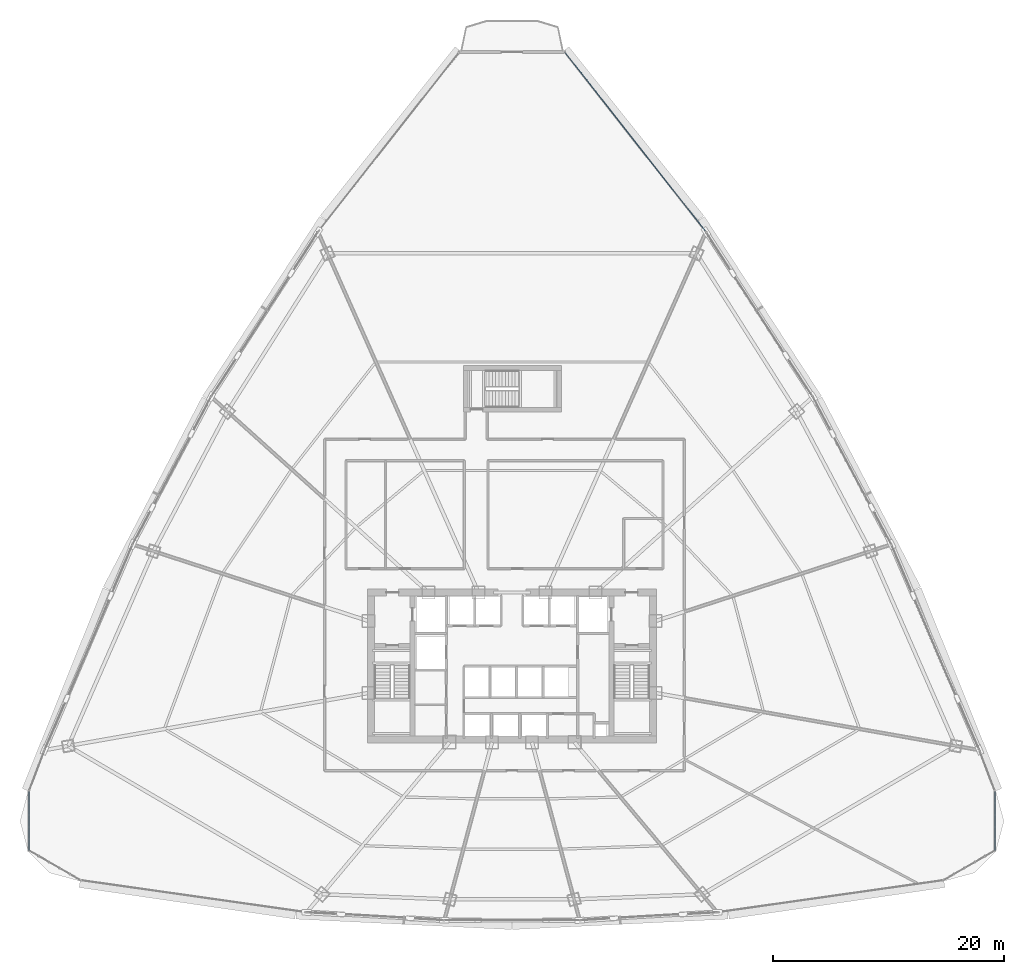
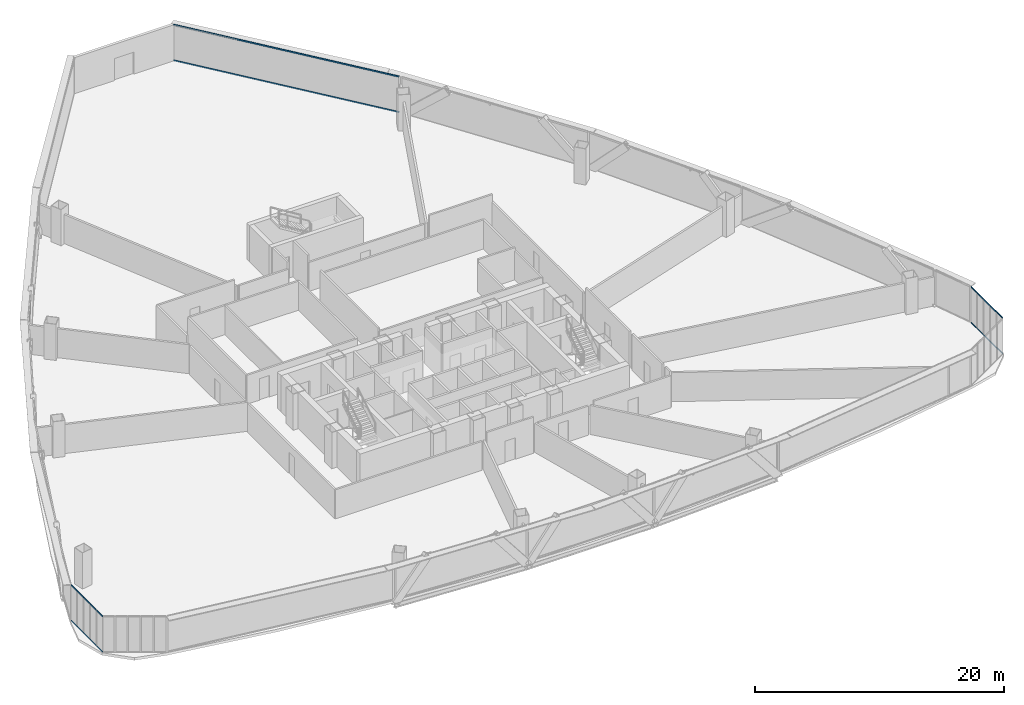
# One storey, part 27 of 39: 22 members, 3 elements without a shape of their own.
"""IFC4 building model written with IfcOpenShell, lengths in metres."""

from ifc_helpers import new_model, si_unit, direction, frame, origin, origin_2d, place, context, subcontext, project, spatial, hollow_rectangle, extrude, source, transform, mapped, material, layer, layer_set, material_profile, profile_set, type_object, element, aggregate, save


model = new_model("IFC4")

# Units and contexts
model_context = context("Model", 3, precision=1e-05, world=origin(), true_north=direction((0.0, 1.0)))
body_context = subcontext(model_context, "Body", "Model", "MODEL_VIEW")
ifc_project = project(units=[si_unit("LENGTHUNIT", "METRE"), si_unit("AREAUNIT", "SQUARE_METRE"), si_unit("VOLUMEUNIT", "CUBIC_METRE"), si_unit("PLANEANGLEUNIT", "RADIAN"), si_unit("MASSUNIT", "GRAM", prefix="KILO"), si_unit("THERMODYNAMICTEMPERATUREUNIT", "KELVIN"), si_unit("POWERUNIT", "WATT")], contexts=[model_context])

# Site, building, storey
site_placement = place(None, origin())
site = spatial("IfcSite", under=ifc_project, at=site_placement, CompositionType="ELEMENT")
building_placement = place(site_placement, origin())
building = spatial("IfcBuilding", under=site, at=building_placement, Name="Yunzhuo Pagoda Commons", CompositionType="ELEMENT")
storey_placement = place(building_placement, frame((0.0, 0.0, 96.3798828125)))
storey = spatial("IfcBuildingStorey", under=building, at=storey_placement, Name="L24", CompositionType="ELEMENT", Elevation=96.3798828125)

# Curtain wall, members
ifc_material = material(Name="Anodized aluminium 6063-T6", Category="aluminium")
ifc_layer_1 = layer(ifc_material, 0.1650390625)
ifc_layer_set_1 = layer_set([ifc_layer_1], Name="Anodized aluminium 6063-T6")
curtain_wall_type_1 = type_object("IfcCurtainWallType", Name="CW-LOW Low-Zone Ribbon Curtain Wall", PredefinedType="NOTDEFINED", material=ifc_layer_set_1)
curtain_wall_1_placement = place(storey_placement, origin())
curtain_wall_1 = element("IfcCurtainWall", 1, at=curtain_wall_1_placement, inside=storey, type_object=curtain_wall_type_1, Name="L24 curtain wall CW-L24-F2B5", PredefinedType="NOTDEFINED")
ifc_material_profile_1 = material_profile(ifc_material, hollow_rectangle(XDim=0.06005859375, YDim=0.139892578125, WallThickness=0.00341796875, at=origin_2d()), Name="Anodized aluminium 6063-T6")
ifc_profile_set_1 = profile_set([ifc_material_profile_1], Name="Anodized aluminium 6063-T6")
member_type_1 = type_object("IfcMemberType", Name="CW-LOW-T Transom RHS 140x60x3.5", PredefinedType="USERDEFINED", material=ifc_profile_set_1)
shared_shape_1 = source(origin(), body_context, "Body", "SweptSolid", [
    extrude(hollow_rectangle(XDim=0.06005859375, YDim=0.139892578125, WallThickness=0.00341796875, at=origin_2d()), origin(), (0.0, 0.0, 1.0), 19.558349609375),
])
member_1_placement = place(storey_placement, frame((64.683837890625, 71.476806640625, 0.030029296875), z_axis=(-0.617957159447, 0.786211771146, 0.0), x_axis=(-0.786211771146, -0.617957159447, 0.0)))
member_1 = element("IfcMember", 2, at=member_1_placement, type_object=member_type_1, Name="CW transom 1.1", ObjectType="TRANSOM", PredefinedType="USERDEFINED", context=body_context, shape_type="MappedRepresentation", body=[
    mapped(shared_shape_1, transform((0.0, 0.0, 0.0), scale=1.0)),
])
member_2_placement = place(storey_placement, frame((64.683837890625, 71.476806640625, 3.510009765625), z_axis=(-0.617957159447, 0.786211771146, 0.0), x_axis=(-0.786211771146, -0.617957159447, 0.0)))
member_2 = element("IfcMember", 3, at=member_2_placement, type_object=member_type_1, Name="CW transom 1.2", ObjectType="TRANSOM", PredefinedType="USERDEFINED", context=body_context, shape_type="MappedRepresentation", body=[
    mapped(shared_shape_1, transform((0.0, 0.0, 0.0), scale=1.0)),
])
aggregate(curtain_wall_1, [member_1, member_2])

ifc_layer_2 = layer(ifc_material, 0.1298828125)
ifc_layer_set_2 = layer_set([ifc_layer_2], Name="Anodized aluminium 6063-T6")
curtain_wall_type_2 = type_object("IfcCurtainWallType", Name="CW-VTX Rounded Corner Curtain Wall", PredefinedType="NOTDEFINED", material=ifc_layer_set_2)
curtain_wall_2_placement = place(storey_placement, origin())
curtain_wall_2 = element("IfcCurtainWall", 4, at=curtain_wall_2_placement, inside=storey, type_object=curtain_wall_type_2, Name="L24 curtain wall CW-L24-VTX1S1", PredefinedType="NOTDEFINED")
ifc_material_profile_2 = material_profile(ifc_material, hollow_rectangle(XDim=0.054931640625, YDim=0.1201171875, WallThickness=0.00341796875, at=origin_2d()), Name="Anodized aluminium 6063-T6")
ifc_profile_set_2 = profile_set([ifc_material_profile_2], Name="Anodized aluminium 6063-T6")
member_type_2 = type_object("IfcMemberType", Name="CW-VTX-T Transom RHS 120x55x3.5", PredefinedType="USERDEFINED", material=ifc_profile_set_2)
shared_shape_2 = source(origin(), body_context, "Body", "SweptSolid", [
    extrude(hollow_rectangle(XDim=0.054931640625, YDim=0.1201171875, WallThickness=0.00341796875, at=origin_2d()), origin(), (0.0, 0.0, 1.0), 0.953125),
])
member_3_placement = place(storey_placement, frame((6.257080078125, 22.977294921875, 0.027587890625), z_axis=(-0.003586042516, -0.999993570129, 0.0), x_axis=(0.999993570129, -0.003586042516, 0.0)))
member_3 = element("IfcMember", 5, at=member_3_placement, type_object=member_type_2, Name="CW transom 1.1", ObjectType="TRANSOM", PredefinedType="USERDEFINED", context=body_context, shape_type="MappedRepresentation", body=[
    mapped(shared_shape_2, transform((0.0, 0.0, 0.0), scale=1.0)),
])
member_4_placement = place(storey_placement, frame((6.257080078125, 22.977294921875, 3.5126953125), z_axis=(-0.003586042516, -0.999993570129, 0.0), x_axis=(0.999993570129, -0.003586042516, 0.0)))
member_4 = element("IfcMember", 6, at=member_4_placement, type_object=member_type_2, Name="CW transom 1.2", ObjectType="TRANSOM", PredefinedType="USERDEFINED", context=body_context, shape_type="MappedRepresentation", body=[
    mapped(shared_shape_2, transform((0.0, 0.0, 0.0), scale=1.0)),
])

curtain_wall_3_placement = place(storey_placement, origin())
curtain_wall_3 = element("IfcCurtainWall", 7, at=curtain_wall_3_placement, inside=storey, type_object=curtain_wall_type_2, Name="L24 curtain wall CW-L24-VTX2S2", PredefinedType="NOTDEFINED")
member_5_placement = place(storey_placement, frame((89.746337890625, 22.024169921875, 0.027587890625), z_axis=(-0.003586042516, 0.999993570129, 0.0), x_axis=(-0.999993570129, -0.003586042516, 0.0)))
member_5 = element("IfcMember", 8, at=member_5_placement, type_object=member_type_2, Name="CW transom 5.1", ObjectType="TRANSOM", PredefinedType="USERDEFINED", context=body_context, shape_type="MappedRepresentation", body=[
    mapped(shared_shape_2, transform((0.0, 0.0, 0.0), scale=1.0)),
])
member_6_placement = place(storey_placement, frame((89.746337890625, 22.024169921875, 3.5126953125), z_axis=(-0.003586042516, 0.999993570129, 0.0), x_axis=(-0.999993570129, -0.003586042516, 0.0)))
member_6 = element("IfcMember", 9, at=member_6_placement, type_object=member_type_2, Name="CW transom 5.2", ObjectType="TRANSOM", PredefinedType="USERDEFINED", context=body_context, shape_type="MappedRepresentation", body=[
    mapped(shared_shape_2, transform((0.0, 0.0, 0.0), scale=1.0)),
])

# Member
shared_shape_3 = source(origin(), body_context, "Body", "SweptSolid", [
    extrude(hollow_rectangle(XDim=0.054931640625, YDim=0.1201171875, WallThickness=0.00341796875, at=origin_2d()), origin(), (0.0, 0.0, 1.0), 0.980224609375),
])
member_7_placement = place(storey_placement, frame((6.25341796875, 21.96923828125, 0.027587890625), z_axis=(-0.003486902837, -0.999993920736, 0.0), x_axis=(0.999993920736, -0.003486902837, 0.0)))
member_7 = element("IfcMember", 10, at=member_7_placement, type_object=member_type_2, Name="CW transom 2.1", ObjectType="TRANSOM", PredefinedType="USERDEFINED", context=body_context, shape_type="MappedRepresentation", body=[
    mapped(shared_shape_3, transform((0.0, 0.0, 0.0), scale=1.0)),
])

member_8_placement = place(storey_placement, frame((6.25341796875, 21.96923828125, 3.5126953125), z_axis=(-0.003486902837, -0.999993920736, 0.0), x_axis=(0.999993920736, -0.003486902837, 0.0)))
member_8 = element("IfcMember", 11, at=member_8_placement, type_object=member_type_2, Name="CW transom 2.2", ObjectType="TRANSOM", PredefinedType="USERDEFINED", context=body_context, shape_type="MappedRepresentation", body=[
    mapped(shared_shape_3, transform((0.0, 0.0, 0.0), scale=1.0)),
])

member_9_placement = place(storey_placement, frame((89.75, 20.989013671875, 0.027587890625), z_axis=(-0.003486902837, 0.999993920736, 0.0), x_axis=(-0.999993920736, -0.003486902837, 0.0)))
member_9 = element("IfcMember", 12, at=member_9_placement, type_object=member_type_2, Name="CW transom 4.1", ObjectType="TRANSOM", PredefinedType="USERDEFINED", context=body_context, shape_type="MappedRepresentation", body=[
    mapped(shared_shape_3, transform((0.0, 0.0, 0.0), scale=1.0)),
])

member_10_placement = place(storey_placement, frame((89.75, 20.989013671875, 3.5126953125), z_axis=(-0.003486902837, 0.999993920736, 0.0), x_axis=(-0.999993920736, -0.003486902837, 0.0)))
member_10 = element("IfcMember", 13, at=member_10_placement, type_object=member_type_2, Name="CW transom 4.2", ObjectType="TRANSOM", PredefinedType="USERDEFINED", context=body_context, shape_type="MappedRepresentation", body=[
    mapped(shared_shape_3, transform((0.0, 0.0, 0.0), scale=1.0)),
])

shared_shape_4 = source(origin(), body_context, "Body", "SweptSolid", [
    extrude(hollow_rectangle(XDim=0.054931640625, YDim=0.1201171875, WallThickness=0.00341796875, at=origin_2d()), origin(), (0.0, 0.0, 1.0), 0.980712890625),
])
member_11_placement = place(storey_placement, frame((6.249755859375, 20.933837890625, 0.027587890625), z_axis=(-0.003485166785, -0.999993926788, 0.0), x_axis=(0.999993926788, -0.003485166785, 0.0)))
member_11 = element("IfcMember", 14, at=member_11_placement, type_object=member_type_2, Name="CW transom 3.1", ObjectType="TRANSOM", PredefinedType="USERDEFINED", context=body_context, shape_type="MappedRepresentation", body=[
    mapped(shared_shape_4, transform((0.0, 0.0, 0.0), scale=1.0)),
])

member_12_placement = place(storey_placement, frame((6.249755859375, 20.933837890625, 3.5126953125), z_axis=(-0.003485166785, -0.999993926788, 0.0), x_axis=(0.999993926788, -0.003485166785, 0.0)))
member_12 = element("IfcMember", 15, at=member_12_placement, type_object=member_type_2, Name="CW transom 3.2", ObjectType="TRANSOM", PredefinedType="USERDEFINED", context=body_context, shape_type="MappedRepresentation", body=[
    mapped(shared_shape_4, transform((0.0, 0.0, 0.0), scale=1.0)),
])

member_13_placement = place(storey_placement, frame((89.753662109375, 19.953125, 0.027587890625), z_axis=(-0.003485166785, 0.999993926788, 0.0), x_axis=(-0.999993926788, -0.003485166785, 0.0)))
member_13 = element("IfcMember", 16, at=member_13_placement, type_object=member_type_2, Name="CW transom 3.1", ObjectType="TRANSOM", PredefinedType="USERDEFINED", context=body_context, shape_type="MappedRepresentation", body=[
    mapped(shared_shape_4, transform((0.0, 0.0, 0.0), scale=1.0)),
])

member_14_placement = place(storey_placement, frame((89.753662109375, 19.953125, 3.5126953125), z_axis=(-0.003485166785, 0.999993926788, 0.0), x_axis=(-0.999993926788, -0.003485166785, 0.0)))
member_14 = element("IfcMember", 17, at=member_14_placement, type_object=member_type_2, Name="CW transom 3.2", ObjectType="TRANSOM", PredefinedType="USERDEFINED", context=body_context, shape_type="MappedRepresentation", body=[
    mapped(shared_shape_4, transform((0.0, 0.0, 0.0), scale=1.0)),
])

shared_shape_5 = source(origin(), body_context, "Body", "SweptSolid", [
    extrude(hollow_rectangle(XDim=0.054931640625, YDim=0.1201171875, WallThickness=0.00341796875, at=origin_2d()), origin(), (0.0, 0.0, 1.0), 0.98046875),
])
member_15_placement = place(storey_placement, frame((6.24609375, 19.898193359375, 0.027587890625), z_axis=(-0.003486034595, -0.999993923763, 0.0), x_axis=(0.999993923763, -0.003486034595, 0.0)))
member_15 = element("IfcMember", 18, at=member_15_placement, type_object=member_type_2, Name="CW transom 4.1", ObjectType="TRANSOM", PredefinedType="USERDEFINED", context=body_context, shape_type="MappedRepresentation", body=[
    mapped(shared_shape_5, transform((0.0, 0.0, 0.0), scale=1.0)),
])

member_16_placement = place(storey_placement, frame((6.24609375, 19.898193359375, 3.5126953125), z_axis=(-0.003486034595, -0.999993923763, 0.0), x_axis=(0.999993923763, -0.003486034595, 0.0)))
member_16 = element("IfcMember", 19, at=member_16_placement, type_object=member_type_2, Name="CW transom 4.2", ObjectType="TRANSOM", PredefinedType="USERDEFINED", context=body_context, shape_type="MappedRepresentation", body=[
    mapped(shared_shape_5, transform((0.0, 0.0, 0.0), scale=1.0)),
])

member_17_placement = place(storey_placement, frame((89.75732421875, 18.917724609375, 0.027587890625), z_axis=(-0.003486034595, 0.999993923763, 0.0), x_axis=(-0.999993923763, -0.003486034595, 0.0)))
member_17 = element("IfcMember", 20, at=member_17_placement, type_object=member_type_2, Name="CW transom 2.1", ObjectType="TRANSOM", PredefinedType="USERDEFINED", context=body_context, shape_type="MappedRepresentation", body=[
    mapped(shared_shape_5, transform((0.0, 0.0, 0.0), scale=1.0)),
])

member_18_placement = place(storey_placement, frame((89.75732421875, 18.917724609375, 3.5126953125), z_axis=(-0.003486034595, 0.999993923763, 0.0), x_axis=(-0.999993923763, -0.003486034595, 0.0)))
member_18 = element("IfcMember", 21, at=member_18_placement, type_object=member_type_2, Name="CW transom 2.2", ObjectType="TRANSOM", PredefinedType="USERDEFINED", context=body_context, shape_type="MappedRepresentation", body=[
    mapped(shared_shape_5, transform((0.0, 0.0, 0.0), scale=1.0)),
])

shared_shape_6 = source(origin(), body_context, "Body", "SweptSolid", [
    extrude(hollow_rectangle(XDim=0.054931640625, YDim=0.1201171875, WallThickness=0.00341796875, at=origin_2d()), origin(), (0.0, 0.0, 1.0), 0.952880859375),
])
member_19_placement = place(storey_placement, frame((6.242431640625, 18.862548828125, 0.027587890625), z_axis=(-0.003586961295, -0.999993566834, 0.0), x_axis=(0.999993566834, -0.003586961295, 0.0)))
member_19 = element("IfcMember", 22, at=member_19_placement, type_object=member_type_2, Name="CW transom 5.1", ObjectType="TRANSOM", PredefinedType="USERDEFINED", context=body_context, shape_type="MappedRepresentation", body=[
    mapped(shared_shape_6, transform((0.0, 0.0, 0.0), scale=1.0)),
])

member_20_placement = place(storey_placement, frame((6.242431640625, 18.862548828125, 3.5126953125), z_axis=(-0.003586961295, -0.999993566834, 0.0), x_axis=(0.999993566834, -0.003586961295, 0.0)))
member_20 = element("IfcMember", 23, at=member_20_placement, type_object=member_type_2, Name="CW transom 5.2", ObjectType="TRANSOM", PredefinedType="USERDEFINED", context=body_context, shape_type="MappedRepresentation", body=[
    mapped(shared_shape_6, transform((0.0, 0.0, 0.0), scale=1.0)),
])

aggregate(curtain_wall_2, [member_3, member_4, member_7, member_8, member_11, member_12, member_15, member_16, member_19, member_20])

member_21_placement = place(storey_placement, frame((89.760986328125, 17.90966796875, 0.027587890625), z_axis=(-0.003586961295, 0.999993566834, 0.0), x_axis=(-0.999993566834, -0.003586961295, 0.0)))
member_21 = element("IfcMember", 24, at=member_21_placement, type_object=member_type_2, Name="CW transom 1.1", ObjectType="TRANSOM", PredefinedType="USERDEFINED", context=body_context, shape_type="MappedRepresentation", body=[
    mapped(shared_shape_6, transform((0.0, 0.0, 0.0), scale=1.0)),
])

member_22_placement = place(storey_placement, frame((89.760986328125, 17.90966796875, 3.5126953125), z_axis=(-0.003586961295, 0.999993566834, 0.0), x_axis=(-0.999993566834, -0.003586961295, 0.0)))
member_22 = element("IfcMember", 25, at=member_22_placement, type_object=member_type_2, Name="CW transom 1.2", ObjectType="TRANSOM", PredefinedType="USERDEFINED", context=body_context, shape_type="MappedRepresentation", body=[
    mapped(shared_shape_6, transform((0.0, 0.0, 0.0), scale=1.0)),
])

aggregate(curtain_wall_3, [member_21, member_22, member_17, member_18, member_13, member_14, member_9, member_10, member_5, member_6])

save(model, "model.ifc")
